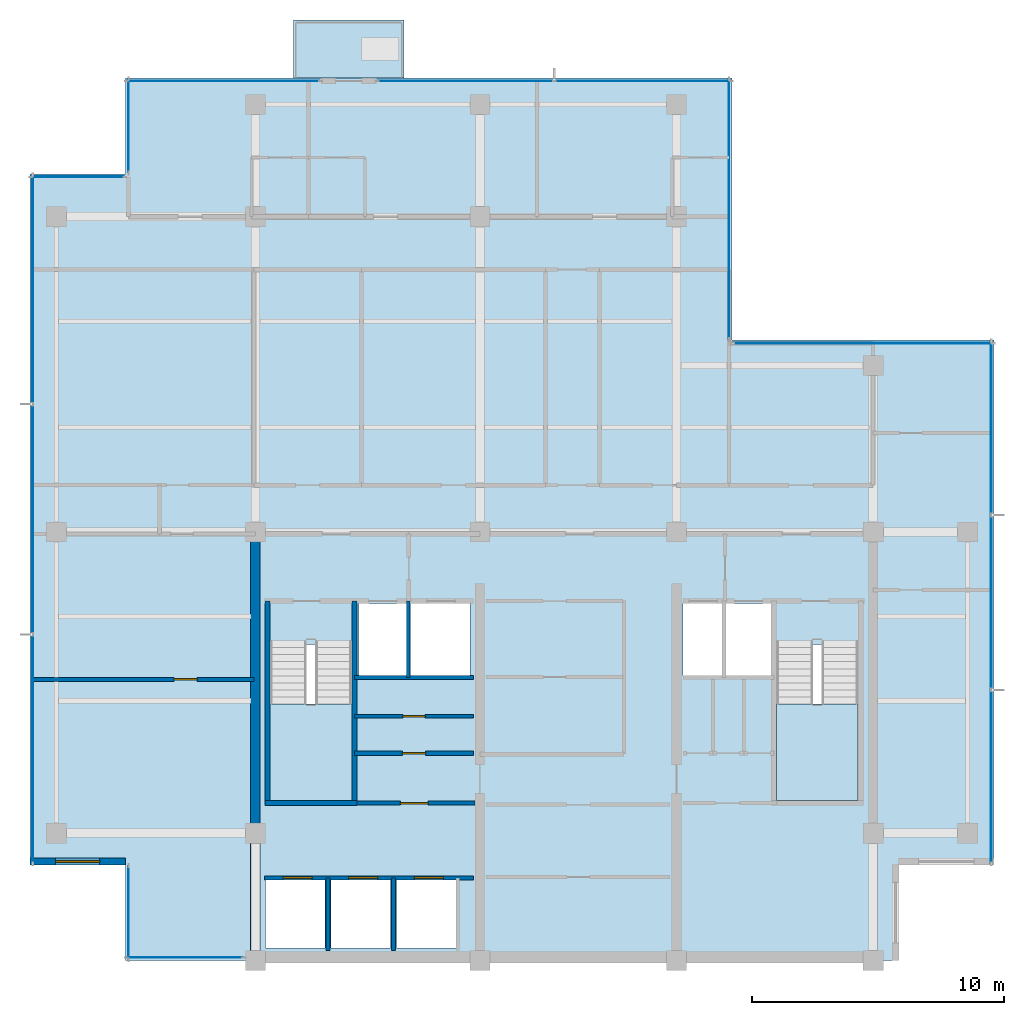
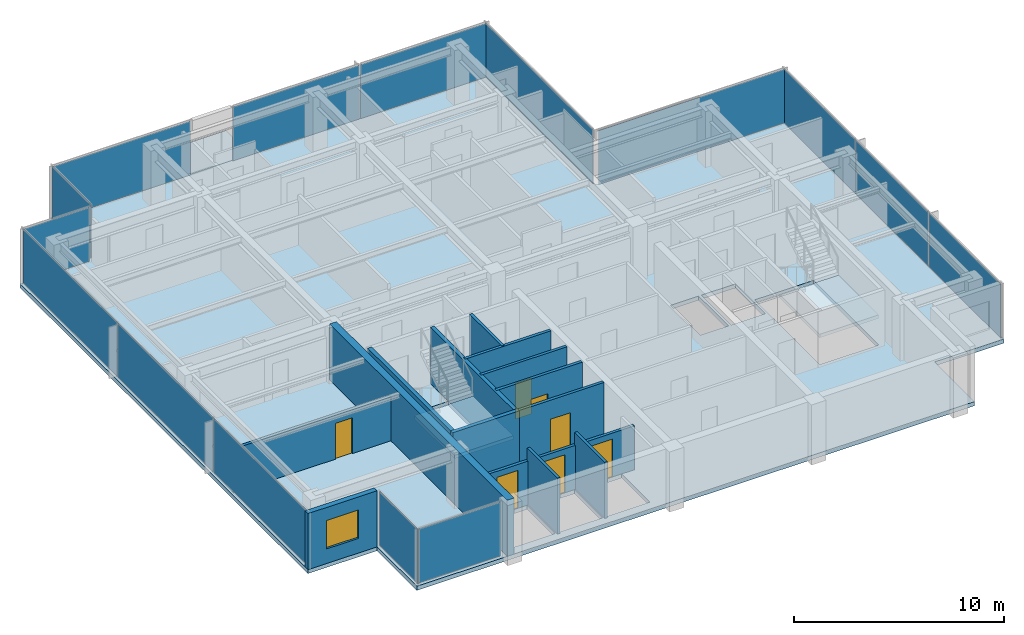
# One storey, part 5 of 11: 15 plates, 14 walls, 7 doors, 4 slabs, 1 window, 8 openings, 12 elements without a shape of their own.
"""IFC4 building model written with IfcOpenShell, lengths in metres."""

import ifcopenshell
import ifcopenshell.guid

model = None  # the IFC model being written
_history = None  # IfcOwnerHistory: only IFC2X3 demands one
_inside = {}  # id of a spatial element -> (the spatial element, [elements in it])
_under = {}  # id of a project, library or spatial element -> (it, [spatial elements below it])
_declared = {}  # id of a project -> (the project, [libraries it declares])
_typed = {}  # id of a type object -> (the type object, [elements of that type])
_made_of = {}  # id of a material, layer set ... -> (it, [elements and type objects made of it])


def new_model(schema):
    """Start an empty IFC model of exactly this schema.

    Asked for "IFC4X3", IfcOpenShell would pick the latest addendum, in which some entities
    have other attributes; the version numbers below select the first issue.
    IFC2X3 requires an IfcOwnerHistory on every rooted entity: one is made here for all.
    """
    global model, _history
    if schema == "IFC4X3":
        model = ifcopenshell.file(schema_version=(4, 3, 0, 0))
    else:
        model = ifcopenshell.file(schema=schema)
    _inside.clear()
    _under.clear()
    _declared.clear()
    _typed.clear()
    _made_of.clear()
    _history = None
    if model.schema == "IFC2X3":
        org = make("IfcOrganization", Name="unknown")
        user = make(
            "IfcPersonAndOrganization",
            ThePerson=make("IfcPerson", FamilyName="unknown"),
            TheOrganization=org,
        )
        app = make(
            "IfcApplication",
            ApplicationDeveloper=org,
            Version="unknown",
            ApplicationFullName="unknown",
            ApplicationIdentifier="unknown",
        )
        _history = make(
            "IfcOwnerHistory",
            OwningUser=user,
            OwningApplication=app,
            ChangeAction="ADDED",
            CreationDate=0,
        )
    return model


def make(cls, **values):
    """One entity of the class cls with the attributes given. An attribute that is None is left unset."""
    return model.create_entity(
        cls, **{name: value for name, value in values.items() if value is not None}
    )


def rooted(cls, **values):
    """An entity with a GlobalId (a new one), such as an element, a storey or a relation."""
    return make(cls, GlobalId=ifcopenshell.guid.new(), OwnerHistory=_history, **values)


def si_unit(unit_type, name, prefix=None):
    """IfcSIUnit, for example si_unit("LENGTHUNIT", "METRE", prefix="MILLI")."""
    return make("IfcSIUnit", UnitType=unit_type, Prefix=prefix, Name=name)


def assignment(units):
    """IfcUnitAssignment: the units of a project."""
    return None if units is None else make("IfcUnitAssignment", Units=units)


def point(xyz):
    """IfcCartesianPoint."""
    return None if xyz is None else make("IfcCartesianPoint", Coordinates=xyz)


def direction(xyz):
    """IfcDirection."""
    return None if xyz is None else make("IfcDirection", DirectionRatios=xyz)


def frame(location, z_axis=None, x_axis=None):
    """IfcAxis2Placement3D, a coordinate frame: its origin and axes. An axis left out is left unset."""
    return make(
        "IfcAxis2Placement3D",
        Location=point(location),
        Axis=direction(z_axis),
        RefDirection=direction(x_axis),
    )


def frame_2d(location, x_axis=None):
    """IfcAxis2Placement2D, a coordinate frame in the plane: its origin and x axis."""
    return make(
        "IfcAxis2Placement2D", Location=point(location), RefDirection=direction(x_axis)
    )


def origin():
    """The frame at (0, 0, 0) with its axes left unset."""
    return frame((0.0, 0.0, 0.0))


def origin_2d():
    """The frame at (0, 0) in the plane with its x axis left unset."""
    return frame_2d((0.0, 0.0))


def place(relative_to, where):
    """IfcLocalPlacement: puts the frame where relative to a parent placement (None: the world)."""
    return make(
        "IfcLocalPlacement", PlacementRelTo=relative_to, RelativePlacement=where
    )


def context(
    kind, dimensions, precision=None, world=None, true_north=None, identifier=None
):
    """IfcGeometricRepresentationContext, for example the 3D "Model" context."""
    return make(
        "IfcGeometricRepresentationContext",
        ContextIdentifier=identifier,
        ContextType=kind,
        CoordinateSpaceDimension=dimensions,
        Precision=precision,
        WorldCoordinateSystem=world,
        TrueNorth=true_north,
    )


def subcontext(parent, identifier, kind, view, scale=None):
    """IfcGeometricRepresentationSubContext, for example "Body" below "Model"."""
    return make(
        "IfcGeometricRepresentationSubContext",
        ContextIdentifier=identifier,
        ContextType=kind,
        ParentContext=parent,
        TargetScale=scale,
        TargetView=view,
    )


def project(units=None, contexts=None):
    """IfcProject with its units and contexts."""
    return rooted(
        "IfcProject",
        Name="project",
        RepresentationContexts=contexts,
        UnitsInContext=assignment(units),
    )


def spatial(cls, under=None, at=None, **own):
    """A site, building, storey or space (cls), placed at a placement, below another one or the project."""
    s = rooted(cls, ObjectPlacement=at, **own)
    if under is not None:
        _under.setdefault(under.id(), (under, []))[1].append(s)
    return s


def polyline(points):
    """IfcPolyline through the points."""
    return make("IfcPolyline", Points=[point(p) for p in points])


def profile(cls, at=None, kind="AREA", **sizes):
    """A parametric profile (cls). Its sizes go by their IFC names, for example OverallWidth=200.0."""
    return make(cls, ProfileType=kind, Position=at, **sizes)


def rectangle(**sizes):
    """IfcRectangleProfileDef."""
    return profile("IfcRectangleProfileDef", **sizes)


def outline(outer, holes=None, kind="AREA"):
    """IfcArbitraryClosedProfileDef: a profile drawn as a closed curve; with holes, ...WithVoids."""
    if holes is None:
        return make("IfcArbitraryClosedProfileDef", ProfileType=kind, OuterCurve=outer)
    return make(
        "IfcArbitraryProfileDefWithVoids",
        ProfileType=kind,
        OuterCurve=outer,
        InnerCurves=holes,
    )


def extrude(swept, where, along, depth):
    """IfcExtrudedAreaSolid: the profile swept, set in the frame where, extruded along a direction by depth."""
    return make(
        "IfcExtrudedAreaSolid",
        SweptArea=swept,
        Position=where,
        ExtrudedDirection=direction(along),
        Depth=depth,
    )


def shape(context_of_items, identifier, shape_type, items):
    """IfcShapeRepresentation: the items that make up one representation, for example the "Body"."""
    return make(
        "IfcShapeRepresentation",
        ContextOfItems=context_of_items,
        RepresentationIdentifier=identifier,
        RepresentationType=shape_type,
        Items=items,
    )


def material(Name=None, Category=None):
    """IfcMaterial."""
    return make("IfcMaterial", Name=Name, Category=Category)


def layer(
    of_material, thickness, ventilated=None, Name=None, Category=None, Priority=None
):
    """IfcMaterialLayer: one layer of a wall or slab, of a material (None: an air gap)."""
    return make(
        "IfcMaterialLayer",
        Material=of_material,
        LayerThickness=thickness,
        IsVentilated=ventilated,
        Name=Name,
        Category=Category,
        Priority=Priority,
    )


def layer_set(layers, Name=None):
    """IfcMaterialLayerSet."""
    return make("IfcMaterialLayerSet", MaterialLayers=layers, LayerSetName=Name)


def made_of(thing, what):
    """Note that an element or type object is made of a material, layer set ...; save() writes the relation."""
    if what is not None:
        _made_of.setdefault(what.id(), (what, []))[1].append(thing)
    return thing


def type_object(cls, material=None, **own):
    """A type object (cls), such as IfcWallType, which elements share."""
    return made_of(rooted(cls, **own), material)


def element(
    cls,
    number,
    at=None,
    inside=None,
    cuts=None,
    type_object=None,
    material=None,
    context=None,
    identifier="Body",
    shape_type=None,
    held_by="IfcProductDefinitionShape",
    body=None,
    shapes=None,
    **own,
):
    """One element of the class cls, such as IfcWall. Its Tag is "e" and its number.

    at: its placement. inside: the storey or other place that contains it. cuts: it is an
    opening in that element (IfcRelVoidsElement). A single representation is given by context,
    identifier, shape_type and body (its items); several are given by shapes. held_by: the class
    of the entity that holds the representations. save() writes the other relations.
    """
    e = rooted(cls, Tag="e%d" % number, ObjectPlacement=at, **own)
    if body is not None:
        shapes = [shape(context, identifier, shape_type, body)]
    if shapes is not None:
        e.Representation = make(held_by, Representations=shapes)
    if inside is not None:
        _inside.setdefault(inside.id(), (inside, []))[1].append(e)
    if cuts is not None:
        rooted(
            "IfcRelVoidsElement", RelatingBuildingElement=cuts, RelatedOpeningElement=e
        )
    if type_object is not None:
        _typed.setdefault(type_object.id(), (type_object, []))[1].append(e)
    return made_of(e, material)


def fill(opening, filler):
    """IfcRelFillsElement: the door or window that sits in an opening."""
    return rooted(
        "IfcRelFillsElement",
        RelatingOpeningElement=opening,
        RelatedBuildingElement=filler,
    )


def aggregate(whole, parts):
    """IfcRelAggregates: a whole, such as a stair, and the parts it consists of."""
    return rooted("IfcRelAggregates", RelatingObject=whole, RelatedObjects=parts)


def save(model, path):
    """Write the relations noted so far, then the file.

    IfcRelAggregates (storeys below a building ...), IfcRelContainedInSpatialStructure (elements
    in a storey), IfcRelDefinesByType, IfcRelAssociatesMaterial and IfcRelDeclares: one each for
    every whole, place, type object, material and project.
    """
    for whole, parts in _under.values():
        aggregate(whole, parts)
    for where, things in _inside.values():
        rooted(
            "IfcRelContainedInSpatialStructure",
            RelatedElements=things,
            RelatingStructure=where,
        )
    for kind, things in _typed.values():
        rooted("IfcRelDefinesByType", RelatedObjects=things, RelatingType=kind)
    for what, things in _made_of.values():
        rooted("IfcRelAssociatesMaterial", RelatedObjects=things, RelatingMaterial=what)
    for by, libraries in _declared.values():
        rooted("IfcRelDeclares", RelatingContext=by, RelatedDefinitions=libraries)
    model.write(path)


model = new_model("IFC4")

# Units and contexts
model_context = context("Model", 3, precision=1e-05, world=origin(), true_north=direction((0.0, 1.0)))
body_context = subcontext(model_context, "Body", "Model", "MODEL_VIEW")
ifc_project = project(units=[si_unit("LENGTHUNIT", "METRE"), si_unit("AREAUNIT", "SQUARE_METRE"), si_unit("VOLUMEUNIT", "CUBIC_METRE"), si_unit("PLANEANGLEUNIT", "RADIAN"), si_unit("MASSUNIT", "GRAM", prefix="KILO")], contexts=[model_context])

# Site, building, storey
site_placement = place(None, origin())
site = spatial("IfcSite", under=ifc_project, at=site_placement, CompositionType="ELEMENT")
building_placement = place(site_placement, origin())
building = spatial("IfcBuilding", under=site, at=building_placement, Name="Qalmaran Belvedere Hotel", CompositionType="ELEMENT")
storey_placement = place(building_placement, frame((0.0, 0.0, 249.39990234375)))
storey = spatial("IfcBuildingStorey", under=building, at=storey_placement, Name="L64", CompositionType="ELEMENT", Elevation=249.39990234375)

# Curtain wall, plate
ifc_material_1 = material(Name="Anodised Bronze Aluminium", Category="aluminium")
ifc_layer_1 = layer(ifc_material_1, 0.18505859375, Name="Anodised Bronze Aluminium")
ifc_layer_set_1 = layer_set([ifc_layer_1], Name="Anodised Bronze Aluminium")
curtain_wall_type = type_object("IfcCurtainWallType", Name="CW6-TOWER-SKY", PredefinedType="NOTDEFINED", material=ifc_layer_set_1)
curtain_wall_1_placement = place(storey_placement, origin())
curtain_wall_1 = element("IfcCurtainWall", 1, at=curtain_wall_1_placement, inside=storey, type_object=curtain_wall_type, Name="L64 Curtain Wall CW6", PredefinedType="NOTDEFINED")
ifc_material_2 = material(Name="Solar-Control Double Glazing", Category="glass")
ifc_layer_2 = layer(ifc_material_2, 0.028076171875, Name="Solar-Control Double Glazing")
ifc_layer_set_2 = layer_set([ifc_layer_2], Name="Solar-Control Double Glazing")
plate_type = type_object("IfcPlateType", Name="CWP-VISION-28", PredefinedType="CURTAIN_PANEL", material=ifc_layer_set_2)
plate_1_placement = place(storey_placement, frame((17.5048828125, 3.6201171875, 0.065185546875), z_axis=(0.0, 0.0, 1.0), x_axis=(1.0, 0.0, 0.0)))
plate_1 = element("IfcPlate", 2, at=plate_1_placement, type_object=plate_type, Name="CW6 panel 1.1", PredefinedType="CURTAIN_PANEL", context=body_context, shape_type="SweptSolid", body=[
    extrude(rectangle(XDim=4.580078125, YDim=0.028076171875, at=origin_2d()), origin(), (0.0, 0.0, 1.0), 3.1298828125),
])
aggregate(curtain_wall_1, [plate_1])

# Curtain wall, plates
curtain_wall_2_placement = place(storey_placement, origin())
curtain_wall_2 = element("IfcCurtainWall", 3, at=curtain_wall_2_placement, inside=storey, type_object=curtain_wall_type, Name="L64 Curtain Wall CW6", PredefinedType="NOTDEFINED")
plate_2_placement = place(storey_placement, frame((49.47998046875, 10.782958984375, 0.065185546875), z_axis=(0.0, 0.0, 1.0), x_axis=(0.0, 1.0, 0.0)))
plate_2 = element("IfcPlate", 4, at=plate_2_placement, type_object=plate_type, Name="CW6 panel 1.1", PredefinedType="CURTAIN_PANEL", context=body_context, shape_type="SweptSolid", body=[
    extrude(rectangle(XDim=6.8359375, YDim=0.028076171875, at=origin_2d()), origin(), (0.0, 0.0, 1.0), 3.1298828125),
])
plate_3_placement = place(storey_placement, frame((49.47998046875, 17.699951171875, 0.065185546875), z_axis=(0.0, 0.0, 1.0), x_axis=(0.0, 1.0, 0.0)))
plate_3 = element("IfcPlate", 5, at=plate_3_placement, type_object=plate_type, Name="CW6 panel 2.1", PredefinedType="CURTAIN_PANEL", context=body_context, shape_type="SweptSolid", body=[
    extrude(rectangle(XDim=6.868408203125, YDim=0.028076171875, at=origin_2d()), origin(), (0.0, 0.0, 1.0), 3.1298828125),
])
plate_4_placement = place(storey_placement, frame((49.47998046875, 24.6171875, 0.065185546875), z_axis=(0.0, 0.0, 1.0), x_axis=(0.0, 1.0, 0.0)))
plate_4 = element("IfcPlate", 6, at=plate_4_placement, type_object=plate_type, Name="CW6 panel 3.1", PredefinedType="CURTAIN_PANEL", context=body_context, shape_type="SweptSolid", body=[
    extrude(rectangle(XDim=6.8359375, YDim=0.028076171875, at=origin_2d()), origin(), (0.0, 0.0, 1.0), 3.1298828125),
])
aggregate(curtain_wall_2, [plate_2, plate_3, plate_4])

# Curtain wall, plate
curtain_wall_3_placement = place(storey_placement, origin())
curtain_wall_3 = element("IfcCurtainWall", 7, at=curtain_wall_3_placement, inside=storey, type_object=curtain_wall_type, Name="L64 Curtain Wall CW6", PredefinedType="NOTDEFINED")
plate_5_placement = place(storey_placement, frame((44.39990234375, 27.97998046875, 0.065185546875), z_axis=(0.0, 0.0, 1.0), x_axis=(-1.0, 0.0, 0.0)))
plate_5 = element("IfcPlate", 8, at=plate_5_placement, type_object=plate_type, Name="CW6 panel 1.1", PredefinedType="CURTAIN_PANEL", context=body_context, shape_type="SweptSolid", body=[
    extrude(rectangle(XDim=10.27001953125, YDim=0.028076171875, at=origin_2d()), origin(), (0.0, 0.0, 1.0), 3.1298828125),
])
aggregate(curtain_wall_3, [plate_5])

curtain_wall_4_placement = place(storey_placement, origin())
curtain_wall_4 = element("IfcCurtainWall", 9, at=curtain_wall_4_placement, inside=storey, type_object=curtain_wall_type, Name="L64 Curtain Wall CW6", PredefinedType="NOTDEFINED")
plate_6_placement = place(storey_placement, frame((39.080078125, 33.300048828125, 0.065185546875), z_axis=(0.0, 0.0, 1.0), x_axis=(0.0, 1.0, 0.0)))
plate_6 = element("IfcPlate", 10, at=plate_6_placement, type_object=plate_type, Name="CW6 panel 1.1", PredefinedType="CURTAIN_PANEL", context=body_context, shape_type="SweptSolid", body=[
    extrude(rectangle(XDim=10.27001953125, YDim=0.028076171875, at=origin_2d()), origin(), (0.0, 0.0, 1.0), 3.1298828125),
])
aggregate(curtain_wall_4, [plate_6])

curtain_wall_5_placement = place(storey_placement, origin())
curtain_wall_5 = element("IfcCurtainWall", 11, at=curtain_wall_5_placement, inside=storey, type_object=curtain_wall_type, Name="L64 Curtain Wall CW6", PredefinedType="NOTDEFINED")
plate_7_placement = place(storey_placement, frame((19.02490234375, 38.3798828125, 0.065185546875), z_axis=(0.0, 0.0, 1.0), x_axis=(-1.0, 0.0, 0.0)))
plate_7 = element("IfcPlate", 12, at=plate_7_placement, type_object=plate_type, Name="CW6 panel 1.1", PredefinedType="CURTAIN_PANEL", context=body_context, shape_type="SweptSolid", body=[
    extrude(rectangle(XDim=7.6201171875, YDim=0.028076171875, at=origin_2d()), origin(), (0.0, 0.0, 1.0), 3.1298828125),
])
aggregate(curtain_wall_5, [plate_7])

# Curtain wall, plates
curtain_wall_6_placement = place(storey_placement, origin())
curtain_wall_6 = element("IfcCurtainWall", 13, at=curtain_wall_6_placement, inside=storey, type_object=curtain_wall_type, Name="L64 Curtain Wall CW6", PredefinedType="NOTDEFINED")
plate_8_placement = place(storey_placement, frame((35.65869140625, 38.3798828125, 0.065185546875), z_axis=(0.0, 0.0, 1.0), x_axis=(-1.0, 0.0, 0.0)))
plate_8 = element("IfcPlate", 14, at=plate_8_placement, type_object=plate_type, Name="CW6 panel 1.1", PredefinedType="CURTAIN_PANEL", context=body_context, shape_type="SweptSolid", body=[
    extrude(rectangle(XDim=6.952392578125, YDim=0.028076171875, at=origin_2d()), origin(), (0.0, 0.0, 1.0), 3.1298828125),
])
plate_9_placement = place(storey_placement, frame((28.641357421875, 38.3798828125, 0.065185546875), z_axis=(0.0, 0.0, 1.0), x_axis=(-1.0, 0.0, 0.0)))
plate_9 = element("IfcPlate", 15, at=plate_9_placement, type_object=plate_type, Name="CW6 panel 2.1", PredefinedType="CURTAIN_PANEL", context=body_context, shape_type="SweptSolid", body=[
    extrude(rectangle(XDim=6.952392578125, YDim=0.028076171875, at=origin_2d()), origin(), (0.0, 0.0, 1.0), 3.1298828125),
])
aggregate(curtain_wall_6, [plate_8, plate_9])

# Curtain wall, plate
curtain_wall_7_placement = place(storey_placement, origin())
curtain_wall_7 = element("IfcCurtainWall", 16, at=curtain_wall_7_placement, inside=storey, type_object=curtain_wall_type, Name="L64 Curtain Wall CW6", PredefinedType="NOTDEFINED")
plate_10_placement = place(storey_placement, frame((15.27001953125, 36.60009765625, 0.065185546875), z_axis=(0.0, 0.0, 1.0), x_axis=(0.0, -1.0, 0.0)))
plate_10 = element("IfcPlate", 17, at=plate_10_placement, type_object=plate_type, Name="CW6 panel 1.1", PredefinedType="CURTAIN_PANEL", context=body_context, shape_type="SweptSolid", body=[
    extrude(rectangle(XDim=3.669921875, YDim=0.028076171875, at=origin_2d()), origin(), (0.0, 0.0, 1.0), 3.1298828125),
])
aggregate(curtain_wall_7, [plate_10])

curtain_wall_8_placement = place(storey_placement, origin())
curtain_wall_8 = element("IfcCurtainWall", 18, at=curtain_wall_8_placement, inside=storey, type_object=curtain_wall_type, Name="L64 Curtain Wall CW6", PredefinedType="NOTDEFINED")
plate_11_placement = place(storey_placement, frame((13.25, 34.580078125, 0.065185546875), z_axis=(0.0, 0.0, 1.0), x_axis=(-1.0, 0.0, 0.0)))
plate_11 = element("IfcPlate", 19, at=plate_11_placement, type_object=plate_type, Name="CW6 panel 1.1", PredefinedType="CURTAIN_PANEL", context=body_context, shape_type="SweptSolid", body=[
    extrude(rectangle(XDim=3.669921875, YDim=0.028076171875, at=origin_2d()), origin(), (0.0, 0.0, 1.0), 3.1298828125),
])
aggregate(curtain_wall_8, [plate_11])

# Curtain wall, plates
curtain_wall_9_placement = place(storey_placement, origin())
curtain_wall_9 = element("IfcCurtainWall", 20, at=curtain_wall_9_placement, inside=storey, type_object=curtain_wall_type, Name="L64 Curtain Wall CW6", PredefinedType="NOTDEFINED")
plate_12_placement = place(storey_placement, frame((11.469970703125, 30.1171875, 0.065185546875), z_axis=(0.0, 0.0, 1.0), x_axis=(0.0, -1.0, 0.0)))
plate_12 = element("IfcPlate", 21, at=plate_12_placement, type_object=plate_type, Name="CW6 panel 1.1", PredefinedType="CURTAIN_PANEL", context=body_context, shape_type="SweptSolid", body=[
    extrude(rectangle(XDim=9.035888671875, YDim=0.028076171875, at=origin_2d()), origin(), (0.0, 0.0, 1.0), 3.1298828125),
])
plate_13_placement = place(storey_placement, frame((11.469970703125, 21.0, 0.065185546875), z_axis=(0.0, 0.0, 1.0), x_axis=(0.0, -1.0, 0.0)))
plate_13 = element("IfcPlate", 22, at=plate_13_placement, type_object=plate_type, Name="CW6 panel 2.1", PredefinedType="CURTAIN_PANEL", context=body_context, shape_type="SweptSolid", body=[
    extrude(rectangle(XDim=9.068359375, YDim=0.028076171875, at=origin_2d()), origin(), (0.0, 0.0, 1.0), 3.1298828125),
])
plate_14_placement = place(storey_placement, frame((11.469970703125, 11.8828125, 0.065185546875), z_axis=(0.0, 0.0, 1.0), x_axis=(0.0, -1.0, 0.0)))
plate_14 = element("IfcPlate", 23, at=plate_14_placement, type_object=plate_type, Name="CW6 panel 3.1", PredefinedType="CURTAIN_PANEL", context=body_context, shape_type="SweptSolid", body=[
    extrude(rectangle(XDim=9.035888671875, YDim=0.028076171875, at=origin_2d()), origin(), (0.0, 0.0, 1.0), 3.1298828125),
])
aggregate(curtain_wall_9, [plate_12, plate_13, plate_14])

# Curtain wall, plate
curtain_wall_10_placement = place(storey_placement, origin())
curtain_wall_10 = element("IfcCurtainWall", 24, at=curtain_wall_10_placement, inside=storey, type_object=curtain_wall_type, Name="L64 Curtain Wall CW6", PredefinedType="NOTDEFINED")
plate_15_placement = place(storey_placement, frame((15.27001953125, 5.39990234375, 0.065185546875), z_axis=(0.0, 0.0, 1.0), x_axis=(0.0, -1.0, 0.0)))
plate_15 = element("IfcPlate", 25, at=plate_15_placement, type_object=plate_type, Name="CW6 panel 1.1", PredefinedType="CURTAIN_PANEL", context=body_context, shape_type="SweptSolid", body=[
    extrude(rectangle(XDim=3.669921875, YDim=0.028076171875, at=origin_2d()), origin(), (0.0, 0.0, 1.0), 3.1298828125),
])
aggregate(curtain_wall_10, [plate_15])

# Slab
ifc_material_3 = material(Name="Concrete C40/50", Category="concrete")
ifc_layer_3 = layer(ifc_material_3, 0.219970703125, Name="Concrete C40/50")
ifc_layer_set_3 = layer_set([ifc_layer_3], Name="Concrete C40/50")
slab_type_1 = type_object("IfcSlabType", Name="SLB-BAL-220", PredefinedType="USERDEFINED", material=ifc_layer_set_3)
slab_1_placement = place(storey_placement, frame((0.0, 0.0, -0.219970703125)))
element("IfcSlab", 26, at=slab_1_placement, inside=storey, type_object=slab_type_1, Name="L64 Planted Tree Balcony Slab 1", ObjectType="BALCONY", PredefinedType="USERDEFINED", context=body_context, shape_type="SweptSolid", body=[
    extrude(outline(polyline([(21.800048828125, 38.5), (26.199951171875, 38.5), (26.199951171875, 40.800048828125), (21.800048828125, 40.800048828125), (21.800048828125, 38.5)])), origin(), (0.0, 0.0, 1.0), 0.219970703125),
])

# Stair, slab
stair_type_1 = type_object("IfcStairType", Name="STR-ST-1-1450-R1750", PredefinedType="HALF_TURN_STAIR", material=ifc_material_3)
stair_1_placement = place(storey_placement, origin())
stair_1 = element("IfcStair", 27, at=stair_1_placement, inside=storey, type_object=stair_type_1, Name="L64 West Core Exit Stair ST-1", PredefinedType="HALF_TURN_STAIR")
ifc_layer_4 = layer(ifc_material_3, 0.199951171875, Name="Concrete C40/50")
ifc_layer_set_4 = layer_set([ifc_layer_4], Name="Concrete C40/50")
slab_type_2 = type_object("IfcSlabType", Name="SLB-STAIR-LANDING-200", PredefinedType="LANDING", material=ifc_layer_set_4)
slab_2_placement = place(storey_placement, frame((0.0, 0.0, 1.550048828125)))
slab_2 = element("IfcSlab", 28, at=slab_2_placement, type_object=slab_type_2, Name="ST-1 landing 1", PredefinedType="LANDING", context=body_context, shape_type="SweptSolid", body=[
    extrude(outline(polyline([(20.8798828125, 13.669921875), (20.8798828125, 9.85009765625), (24.1201171875, 9.85009765625), (24.1201171875, 13.669921875), (20.8798828125, 13.669921875)])), origin(), (0.0, 0.0, 1.0), 0.199951171875),
])
aggregate(stair_1, [slab_2])

stair_type_2 = type_object("IfcStairType", Name="STR-ST-2-1450-R1750", PredefinedType="HALF_TURN_STAIR", material=ifc_material_3)
stair_2_placement = place(storey_placement, origin())
stair_2 = element("IfcStair", 29, at=stair_2_placement, inside=storey, type_object=stair_type_2, Name="L64 East Core Exit Stair ST-2", PredefinedType="HALF_TURN_STAIR")
slab_3_placement = place(storey_placement, frame((0.0, 0.0, 1.550048828125)))
slab_3 = element("IfcSlab", 30, at=slab_3_placement, type_object=slab_type_2, Name="ST-2 landing 1", PredefinedType="LANDING", context=body_context, shape_type="SweptSolid", body=[
    extrude(outline(polyline([(40.9599609375, 13.669921875), (40.9599609375, 9.85009765625), (44.199951171875, 9.85009765625), (44.199951171875, 13.669921875), (40.9599609375, 13.669921875)])), origin(), (0.0, 0.0, 1.0), 0.199951171875),
])
aggregate(stair_2, [slab_3])

# Slab
ifc_layer_5 = layer(ifc_material_3, 0.239990234375, Name="Concrete C40/50")
ifc_layer_set_5 = layer_set([ifc_layer_5], Name="Concrete C40/50")
slab_type_3 = type_object("IfcSlabType", Name="SLB-Z4-240", PredefinedType="FLOOR", material=ifc_layer_set_5)
slab_4_placement = place(storey_placement, frame((0.0, 0.0, -0.239990234375)))
element("IfcSlab", 31, at=slab_4_placement, inside=storey, type_object=slab_type_3, Name="L64 Structural Floor Slab", PredefinedType="FLOOR", context=body_context, shape_type="SweptSolid", body=[
    extrude(outline(polyline([(15.14990234375, 3.5), (45.800048828125, 3.5), (45.800048828125, 7.300048828125), (49.60009765625, 7.300048828125), (49.60009765625, 28.10009765625), (39.199951171875, 28.10009765625), (39.199951171875, 38.5), (15.14990234375, 38.5), (15.14990234375, 34.699951171875), (11.35009765625, 34.699951171875), (11.35009765625, 7.300048828125), (15.14990234375, 7.300048828125), (15.14990234375, 3.5)]), holes=[polyline([(20.8798828125, 9.85009765625), (24.1201171875, 9.85009765625), (24.1201171875, 16.0400390625), (20.8798828125, 16.0400390625), (20.8798828125, 9.85009765625)]), polyline([(40.9599609375, 9.85009765625), (44.199951171875, 9.85009765625), (44.199951171875, 16.0400390625), (40.9599609375, 16.0400390625), (40.9599609375, 9.85009765625)]), polyline([(20.699951171875, 4.0), (23.050048828125, 4.0), (23.050048828125, 6.699951171875), (20.699951171875, 6.699951171875), (20.699951171875, 4.0)]), polyline([(23.300048828125, 4.0), (25.64990234375, 4.0), (25.64990234375, 6.699951171875), (23.300048828125, 6.699951171875), (23.300048828125, 4.0)]), polyline([(25.89990234375, 4.0), (28.25, 4.0), (28.25, 6.699951171875), (25.89990234375, 6.699951171875), (25.89990234375, 4.0)]), polyline([(24.39990234375, 14.800048828125), (26.300048828125, 14.800048828125), (26.300048828125, 17.64990234375), (24.39990234375, 17.64990234375), (24.39990234375, 14.800048828125)]), polyline([(38.949951171875, 14.800048828125), (40.820068359375, 14.800048828125), (40.820068359375, 17.64990234375), (38.949951171875, 17.64990234375), (38.949951171875, 14.800048828125)]), polyline([(26.449951171875, 14.800048828125), (28.800048828125, 14.800048828125), (28.800048828125, 17.64990234375), (26.449951171875, 17.64990234375), (26.449951171875, 14.800048828125)]), polyline([(37.25, 14.800048828125), (38.800048828125, 14.800048828125), (38.800048828125, 17.64990234375), (37.25, 17.64990234375), (37.25, 14.800048828125)])]), origin(), (0.0, 0.0, 1.0), 0.239990234375),
])

# Wall
ifc_material_4 = material(Name="Concrete C50/60", Category="concrete")
ifc_layer_6 = layer(ifc_material_4, 0.3798828125, Name="Concrete C50/60")
ifc_layer_set_6 = layer_set([ifc_layer_6], Name="Concrete C50/60")
wall_type_1 = type_object("IfcWallType", Name="WL-CORE-380-C50", PredefinedType="SHEAR", material=ifc_layer_set_6)
wall_1_placement = place(storey_placement, frame((20.300048828125, 3.5, 0.0), z_axis=(0.0, 0.0, 1.0), x_axis=(0.0, 1.0, 0.0)))
element("IfcWall", 32, at=wall_1_placement, inside=storey, type_object=wall_type_1, Name="L64 West Core Shear Wall", PredefinedType="SHEAR", context=body_context, shape_type="SweptSolid", body=[
    extrude(rectangle(XDim=16.89990234375, YDim=0.3798828125, at=frame_2d((8.449951171875, 0.0))), origin(), (0.0, 0.0, 1.0), 3.260009765625),
])

# Wall, opening, window
ifc_material_5 = material(Name="Anodised Bronze Cladding")
ifc_layer_7 = layer(ifc_material_5, 0.280029296875, Name="Anodised Bronze Cladding")
ifc_layer_set_7 = layer_set([ifc_layer_7], Name="Anodised Bronze Cladding")
wall_type_2 = type_object("IfcWallType", Name="WL-EXT-BRNZ-280", PredefinedType="SOLIDWALL", material=ifc_layer_set_7)
wall_2_placement = place(storey_placement, frame((11.35009765625, 7.419921875, 0.0), z_axis=(0.0, 0.0, 1.0), x_axis=(1.0, 0.0, 0.0)))
wall_2 = element("IfcWall", 33, at=wall_2_placement, inside=storey, type_object=wall_type_2, Name="L64 Corner Notch Wall 10", PredefinedType="SOLIDWALL", context=body_context, shape_type="SweptSolid", body=[
    extrude(rectangle(XDim=3.7998046875, YDim=0.280029296875, at=frame_2d((1.89990234375, 0.0))), origin(), (0.0, 0.0, 1.0), 3.260009765625),
])
opening_1_placement = place(wall_2_placement, frame((1.02490234375, 0.0, 0.85009765625)))
opening_1 = element("IfcOpeningElement", 34, at=opening_1_placement, cuts=wall_2, Name="Opening W-N17", PredefinedType="OPENING", context=body_context, shape_type="SweptSolid", body=[
    extrude(rectangle(XDim=1.75, YDim=1.64990234375, at=frame_2d((0.875, 0.824951171875))), frame((0.0, 0.14990234375, 0.0), z_axis=(0.0, -1.0, 0.0), x_axis=(1.0, 0.0, 0.0)), (0.0, 0.0, 1.0), 0.300048828125),
])
window_type = type_object("IfcWindowType", Name="WN-NTC-1750X1650", PartitioningType="SINGLE_PANEL", PredefinedType="WINDOW", material=ifc_material_2)
window_placement = place(opening_1_placement, origin())
window = element("IfcWindow", 35, at=window_placement, inside=storey, type_object=window_type, Name="L64 Corner Notch Window 10", OverallHeight=1.64990234375, OverallWidth=1.75, PartitioningType="SINGLE_PANEL", PredefinedType="WINDOW", context=body_context, shape_type="SweptSolid", body=[
    extrude(rectangle(XDim=1.75, YDim=1.64990234375, at=frame_2d((0.875, 0.824951171875))), frame((0.0, 0.030029296875, 0.0), z_axis=(0.0, -1.0, 0.0), x_axis=(1.0, 0.0, 0.0)), (0.0, 0.0, 1.0), 0.06005859375),
])
fill(opening_1, window)

# Walls
ifc_material_6 = material(Name="Gypsum Stud Partition")
ifc_layer_8 = layer(ifc_material_6, 0.14990234375, Name="Gypsum Stud Partition")
ifc_layer_set_8 = layer_set([ifc_layer_8], Name="Gypsum Stud Partition")
wall_type_3 = type_object("IfcWallType", Name="WL-INT-150-EI120", PredefinedType="PARTITIONING", material=ifc_layer_set_8)
wall_3_placement = place(storey_placement, frame((26.360107421875, 14.719970703125, 0.0), z_axis=(0.0, 0.0, 1.0), x_axis=(0.0, 1.0, 0.0)))
element("IfcWall", 36, at=wall_3_placement, inside=storey, type_object=wall_type_3, Name="L64 Partition WL-FF1M-L64", PredefinedType="PARTITIONING", context=body_context, shape_type="SweptSolid", body=[
    extrude(rectangle(XDim=3.0400390625, YDim=0.14990234375, at=frame_2d((1.52001953125, 0.0))), origin(), (0.0, 0.0, 1.0), 3.260009765625),
])
for number, where, z_axis, x_axis, name in (
    (37, (23.179931640625, 3.89990234375, 0.0), (0.0, 0.0, 1.0), (0.0, 1.0, 0.0), "L64 Partition WL-POM1-L64"),
    (38, (25.780029296875, 3.89990234375, 0.0), (0.0, 0.0, 1.0), (0.0, 1.0, 0.0), "L64 Partition WL-POM2-L64"),
):
    element("IfcWall", number, at=place(storey_placement, frame(where, z_axis=z_axis, x_axis=x_axis)), inside=storey, type_object=wall_type_3, Name=name, PredefinedType="PARTITIONING", context=body_context, shape_type="SweptSolid", body=[
        extrude(rectangle(XDim=2.880126953125, YDim=0.14990234375, at=frame_2d((1.43994140625, 0.0))), origin(), (0.0, 0.0, 1.0), 3.260009765625),
    ])

# Wall, opening, door
ifc_layer_9 = layer(ifc_material_6, 0.14990234375, Name="Gypsum Stud Partition")
ifc_layer_set_9 = layer_set([ifc_layer_9], Name="Gypsum Stud Partition")
wall_type_4 = type_object("IfcWallType", Name="WL-INT-150-EI60", PredefinedType="PARTITIONING", material=ifc_layer_set_9)
wall_4_placement = place(storey_placement, frame((24.219970703125, 13.18505859375, 0.0), z_axis=(0.0, 0.0, 1.0), x_axis=(1.0, 0.0, 0.0)))
wall_4 = element("IfcWall", 39, at=wall_4_placement, inside=storey, type_object=wall_type_4, Name="L64 Partition WL-L64-KWHM", PredefinedType="PARTITIONING", context=body_context, shape_type="SweptSolid", body=[
    extrude(rectangle(XDim=4.72998046875, YDim=0.14990234375, at=frame_2d((2.364990234375, 0.0))), origin(), (0.0, 0.0, 1.0), 3.260009765625),
])
opening_2_placement = place(wall_4_placement, frame((1.925048828125, 0.0, 0.0)))
opening_2 = element("IfcOpeningElement", 40, at=opening_2_placement, cuts=wall_4, Name="Opening FD60B", PredefinedType="OPENING", context=body_context, shape_type="SweptSolid", body=[
    extrude(rectangle(XDim=0.8798828125, YDim=2.080078125, at=frame_2d((0.43994140625, 1.0400390625))), frame((0.0, 0.0849609375, 0.0), z_axis=(0.0, -1.0, 0.0), x_axis=(1.0, 0.0, 0.0)), (0.0, 0.0, 1.0), 0.169921875),
])
ifc_material_7 = material(Name="Steel S355JR", Category="steel")
door_type_1 = type_object("IfcDoorType", Name="DR-FD60B-880X2080", OperationType="NOTDEFINED", PredefinedType="DOOR", material=ifc_material_7)
door_1_placement = place(opening_2_placement, origin())
door_1 = element("IfcDoor", 41, at=door_1_placement, inside=storey, type_object=door_type_1, Name="L64 Staff Core WC Door", OperationType="SINGLE_SWING_RIGHT", OverallHeight=2.080078125, OverallWidth=0.8798828125, PredefinedType="DOOR", context=body_context, shape_type="SweptSolid", body=[
    extrude(rectangle(XDim=0.8798828125, YDim=2.080078125, at=frame_2d((0.43994140625, 1.0400390625))), frame((0.0, 0.02490234375, 0.0), z_axis=(0.0, -1.0, 0.0), x_axis=(1.0, 0.0, 0.0)), (0.0, 0.0, 1.0), 0.050048828125),
])
fill(opening_2, door_1)

# Wall
ifc_layer_10 = layer(ifc_material_6, 0.159912109375, Name="Gypsum Stud Partition")
ifc_layer_set_10 = layer_set([ifc_layer_10], Name="Gypsum Stud Partition")
wall_type_5 = type_object("IfcWallType", Name="WL-INT-160-EI120", PredefinedType="PARTITIONING", material=ifc_layer_set_10)
wall_5_placement = place(storey_placement, frame((24.219970703125, 14.719970703125, 0.0), z_axis=(0.0, 0.0, 1.0), x_axis=(1.0, 0.0, 0.0)))
element("IfcWall", 42, at=wall_5_placement, inside=storey, type_object=wall_type_5, Name="L64 Partition WL-FF1S-L64", PredefinedType="PARTITIONING", context=body_context, shape_type="SweptSolid", body=[
    extrude(rectangle(XDim=4.72998046875, YDim=0.159912109375, at=frame_2d((2.364990234375, 0.0))), origin(), (0.0, 0.0, 1.0), 3.260009765625),
])

# Wall, openings, doors
wall_6_placement = place(storey_placement, frame((20.64990234375, 6.780029296875, 0.0), z_axis=(0.0, 0.0, 1.0), x_axis=(1.0, 0.0, 0.0)))
wall_6 = element("IfcWall", 43, at=wall_6_placement, inside=storey, type_object=wall_type_5, Name="L64 Partition WL-POS-L64", PredefinedType="PARTITIONING", context=body_context, shape_type="SweptSolid", body=[
    extrude(rectangle(XDim=8.300048828125, YDim=0.159912109375, at=frame_2d((4.14990234375, 0.0))), origin(), (0.0, 0.0, 1.0), 2.550048828125),
])
opening_3_placement = place(wall_6_placement, frame((0.75, 0.0, 0.0)))
opening_3 = element("IfcOpeningElement", 44, at=opening_3_placement, cuts=wall_6, Name="Opening LD-PO", PredefinedType="OPENING", context=body_context, shape_type="SweptSolid", body=[
    extrude(rectangle(XDim=1.14990234375, YDim=2.199951171875, at=frame_2d((0.574951171875, 1.10009765625))), frame((0.0, 0.08984375, 0.0), z_axis=(0.0, -1.0, 0.0), x_axis=(1.0, 0.0, 0.0)), (0.0, 0.0, 1.0), 0.179931640625),
])
opening_4_placement = place(wall_6_placement, frame((3.35009765625, 0.0, 0.0)))
opening_4 = element("IfcOpeningElement", 45, at=opening_4_placement, cuts=wall_6, Name="Opening LD-PO", PredefinedType="OPENING", context=body_context, shape_type="SweptSolid", body=[
    extrude(rectangle(XDim=1.14990234375, YDim=2.199951171875, at=frame_2d((0.574951171875, 1.10009765625))), frame((0.0, 0.08984375, 0.0), z_axis=(0.0, -1.0, 0.0), x_axis=(1.0, 0.0, 0.0)), (0.0, 0.0, 1.0), 0.179931640625),
])
opening_5_placement = place(wall_6_placement, frame((5.949951171875, 0.0, 0.0)))
opening_5 = element("IfcOpeningElement", 46, at=opening_5_placement, cuts=wall_6, Name="Opening LD-PO", PredefinedType="OPENING", context=body_context, shape_type="SweptSolid", body=[
    extrude(rectangle(XDim=1.14990234375, YDim=2.199951171875, at=frame_2d((0.574951171875, 1.10009765625))), frame((0.0, 0.08984375, 0.0), z_axis=(0.0, -1.0, 0.0), x_axis=(1.0, 0.0, 0.0)), (0.0, 0.0, 1.0), 0.179931640625),
])
door_type_2 = type_object("IfcDoorType", Name="DR-LIFT-PO-1150X2200", OperationType="DOUBLE_DOOR_SLIDING", PredefinedType="DOOR", material=ifc_material_1)
door_2_placement = place(opening_3_placement, origin())
door_2 = element("IfcDoor", 47, at=door_2_placement, inside=storey, type_object=door_type_2, Name="L64 PO1 Shuttle Landing Door", OperationType="DOUBLE_DOOR_SLIDING", OverallHeight=2.199951171875, OverallWidth=1.14990234375, PredefinedType="DOOR", context=body_context, shape_type="SweptSolid", body=[
    extrude(rectangle(XDim=1.14990234375, YDim=2.199951171875, at=frame_2d((0.574951171875, 1.10009765625))), frame((0.0, 0.02490234375, 0.0), z_axis=(0.0, -1.0, 0.0), x_axis=(1.0, 0.0, 0.0)), (0.0, 0.0, 1.0), 0.050048828125),
])
fill(opening_3, door_2)
door_3_placement = place(opening_4_placement, origin())
door_3 = element("IfcDoor", 48, at=door_3_placement, inside=storey, type_object=door_type_2, Name="L64 PO2 Shuttle Landing Door", OperationType="DOUBLE_DOOR_SLIDING", OverallHeight=2.199951171875, OverallWidth=1.14990234375, PredefinedType="DOOR", context=body_context, shape_type="SweptSolid", body=[
    extrude(rectangle(XDim=1.14990234375, YDim=2.199951171875, at=frame_2d((0.574951171875, 1.10009765625))), frame((0.0, 0.02490234375, 0.0), z_axis=(0.0, -1.0, 0.0), x_axis=(1.0, 0.0, 0.0)), (0.0, 0.0, 1.0), 0.050048828125),
])
fill(opening_4, door_3)
door_4_placement = place(opening_5_placement, origin())
door_4 = element("IfcDoor", 49, at=door_4_placement, inside=storey, type_object=door_type_2, Name="L64 PO3 Shuttle Landing Door", OperationType="DOUBLE_DOOR_SLIDING", OverallHeight=2.199951171875, OverallWidth=1.14990234375, PredefinedType="DOOR", context=body_context, shape_type="SweptSolid", body=[
    extrude(rectangle(XDim=1.14990234375, YDim=2.199951171875, at=frame_2d((0.574951171875, 1.10009765625))), frame((0.0, 0.02490234375, 0.0), z_axis=(0.0, -1.0, 0.0), x_axis=(1.0, 0.0, 0.0)), (0.0, 0.0, 1.0), 0.050048828125),
])
fill(opening_5, door_4)

# Wall, opening, door
wall_7_placement = place(storey_placement, frame((24.199951171875, 9.739990234375, 0.0), z_axis=(0.0, 0.0, 1.0), x_axis=(1.0, 0.0, 0.0)))
wall_7 = element("IfcWall", 50, at=wall_7_placement, inside=storey, type_object=wall_type_5, Name="L64 Partition WL-PON-L64", PredefinedType="PARTITIONING", context=body_context, shape_type="SweptSolid", body=[
    extrude(rectangle(XDim=4.800048828125, YDim=0.159912109375, at=frame_2d((2.39990234375, 0.0))), origin(), (0.0, 0.0, 1.0), 3.260009765625),
])
opening_6_placement = place(wall_7_placement, frame((1.85009765625, 0.0, 0.0)))
opening_6 = element("IfcOpeningElement", 51, at=opening_6_placement, cuts=wall_7, Name="Opening FD90", PredefinedType="OPENING", context=body_context, shape_type="SweptSolid", body=[
    extrude(rectangle(XDim=1.10009765625, YDim=2.14990234375, at=frame_2d((0.550048828125, 1.074951171875))), frame((0.0, 0.08984375, 0.0), z_axis=(0.0, -1.0, 0.0), x_axis=(1.0, 0.0, 0.0)), (0.0, 0.0, 1.0), 0.179931640625),
])
door_type_3 = type_object("IfcDoorType", Name="DR-FD90-1100X2150", OperationType="NOTDEFINED", PredefinedType="DOOR", material=ifc_material_7)
door_5_placement = place(opening_6_placement, origin())
door_5 = element("IfcDoor", 52, at=door_5_placement, inside=storey, type_object=door_type_3, Name="L64 Shuttle Lobby Passage Door", OperationType="SINGLE_SWING_RIGHT", OverallHeight=2.14990234375, OverallWidth=1.10009765625, PredefinedType="DOOR", context=body_context, shape_type="SweptSolid", body=[
    extrude(rectangle(XDim=1.10009765625, YDim=2.14990234375, at=frame_2d((0.550048828125, 1.074951171875))), frame((0.0, 0.02490234375, 0.0), z_axis=(0.0, -1.0, 0.0), x_axis=(1.0, 0.0, 0.0)), (0.0, 0.0, 1.0), 0.050048828125),
])
fill(opening_6, door_5)

ifc_layer_11 = layer(ifc_material_6, 0.159912109375, Name="Gypsum Stud Partition")
ifc_layer_set_11 = layer_set([ifc_layer_11], Name="Gypsum Stud Partition")
wall_type_6 = type_object("IfcWallType", Name="WL-INT-160-EI60", PredefinedType="PARTITIONING", material=ifc_layer_set_11)
wall_8_placement = place(storey_placement, frame((24.219970703125, 11.719970703125, 0.0), z_axis=(0.0, 0.0, 1.0), x_axis=(1.0, 0.0, 0.0)))
wall_8 = element("IfcWall", 53, at=wall_8_placement, inside=storey, type_object=wall_type_6, Name="L64 Partition WL-L64-KWE1", PredefinedType="PARTITIONING", context=body_context, shape_type="SweptSolid", body=[
    extrude(rectangle(XDim=4.72998046875, YDim=0.159912109375, at=frame_2d((2.364990234375, 0.0))), origin(), (0.0, 0.0, 1.0), 3.260009765625),
])
opening_7_placement = place(wall_8_placement, frame((1.905029296875, 0.0, 0.0)))
opening_7 = element("IfcOpeningElement", 54, at=opening_7_placement, cuts=wall_8, Name="Opening FD60S1", PredefinedType="OPENING", context=body_context, shape_type="SweptSolid", body=[
    extrude(rectangle(XDim=0.919921875, YDim=2.080078125, at=frame_2d((0.4599609375, 1.0400390625))), frame((0.0, 0.08984375, 0.0), z_axis=(0.0, -1.0, 0.0), x_axis=(1.0, 0.0, 0.0)), (0.0, 0.0, 1.0), 0.179931640625),
])
ifc_material_8 = material(Name="Engineered Oak Veneer")
door_type_4 = type_object("IfcDoorType", Name="DR-FD60S-920X2080", OperationType="NOTDEFINED", PredefinedType="DOOR", material=ifc_material_8)
door_6_placement = place(opening_7_placement, origin())
door_6 = element("IfcDoor", 55, at=door_6_placement, inside=storey, type_object=door_type_4, Name="L64 Cleaner Supply Store Door", OperationType="SINGLE_SWING_LEFT", OverallHeight=2.080078125, OverallWidth=0.919921875, PredefinedType="DOOR", context=body_context, shape_type="SweptSolid", body=[
    extrude(rectangle(XDim=0.919921875, YDim=2.080078125, at=frame_2d((0.4599609375, 1.0400390625))), frame((0.0, 0.02490234375, 0.0), z_axis=(0.0, -1.0, 0.0), x_axis=(1.0, 0.0, 0.0)), (0.0, 0.0, 1.0), 0.050048828125),
])
fill(opening_7, door_6)

wall_9_placement = place(storey_placement, frame((11.469970703125, 14.64990234375, 0.0), z_axis=(0.0, 0.0, 1.0), x_axis=(1.0, 0.0, 0.0)))
wall_9 = element("IfcWall", 56, at=wall_9_placement, inside=storey, type_object=wall_type_6, Name="L64 Partition WL-L64-C4WH1", PredefinedType="PARTITIONING", context=body_context, shape_type="SweptSolid", body=[
    extrude(rectangle(XDim=8.780029296875, YDim=0.159912109375, at=frame_2d((4.39013671875, 0.0))), origin(), (0.0, 0.0, 1.0), 2.550048828125),
])
opening_8_placement = place(wall_9_placement, frame((6.52001953125, 0.0, 0.0), z_axis=(0.0, 0.0, 1.0), x_axis=(-1.0, 0.0, 0.0)))
opening_8 = element("IfcOpeningElement", 57, at=opening_8_placement, cuts=wall_9, Name="Opening FD60S1", PredefinedType="OPENING", context=body_context, shape_type="SweptSolid", body=[
    extrude(rectangle(XDim=0.919921875, YDim=2.080078125, at=frame_2d((0.4599609375, 1.0400390625))), frame((0.0, 0.08984375, 0.0), z_axis=(0.0, -1.0, 0.0), x_axis=(1.0, 0.0, 0.0)), (0.0, 0.0, 1.0), 0.179931640625),
])
door_7_placement = place(opening_8_placement, origin())
door_7 = element("IfcDoor", 58, at=door_7_placement, inside=storey, type_object=door_type_4, Name="L64 SW Panorama Inner Door", OperationType="SINGLE_SWING_RIGHT", OverallHeight=2.080078125, OverallWidth=0.919921875, PredefinedType="DOOR", context=body_context, shape_type="SweptSolid", body=[
    extrude(rectangle(XDim=0.919921875, YDim=2.080078125, at=frame_2d((0.4599609375, 1.0400390625))), frame((0.0, 0.02490234375, 0.0), z_axis=(0.0, -1.0, 0.0), x_axis=(1.0, 0.0, 0.0)), (0.0, 0.0, 1.0), 0.050048828125),
])
fill(opening_8, door_7)

# Walls
ifc_layer_12 = layer(ifc_material_4, 0.2099609375, Name="Concrete C50/60")
ifc_layer_set_12 = layer_set([ifc_layer_12], Name="Concrete C50/60")
wall_type_7 = type_object("IfcWallType", Name="WL-STAIR-210-C50", PredefinedType="SHEAR", material=ifc_layer_set_12)
for number, where, z_axis, x_axis, name in (
    (59, (20.77490234375, 9.7451171875, 0.0), (0.0, 0.0, 1.0), (0.0, 1.0, 0.0), "L64 Stair ST-1 West Bearing Wall"),
    (60, (24.22509765625, 9.7451171875, 0.0), (0.0, 0.0, 1.0), (0.0, 1.0, 0.0), "L64 Stair ST-1 East Bearing Wall"),
):
    element("IfcWall", number, at=place(storey_placement, frame(where, z_axis=z_axis, x_axis=x_axis)), inside=storey, type_object=wall_type_7, Name=name, PredefinedType="SHEAR", context=body_context, shape_type="SweptSolid", body=[
        extrude(rectangle(XDim=8.009765625, YDim=0.2099609375, at=frame_2d((4.0048828125, 0.0))), origin(), (0.0, 0.0, 1.0), 3.260009765625),
    ])
wall_10_placement = place(storey_placement, frame((20.669921875, 9.7451171875, 0.0), z_axis=(0.0, 0.0, 1.0), x_axis=(1.0, 0.0, 0.0)))
element("IfcWall", 61, at=wall_10_placement, inside=storey, type_object=wall_type_7, Name="L64 Stair ST-1 South Bearing Wall", PredefinedType="SHEAR", context=body_context, shape_type="SweptSolid", body=[
    extrude(rectangle(XDim=3.66015625, YDim=0.2099609375, at=frame_2d((1.830078125, 0.0))), origin(), (0.0, 0.0, 1.0), 3.260009765625),
])

save(model, "model.ifc")
